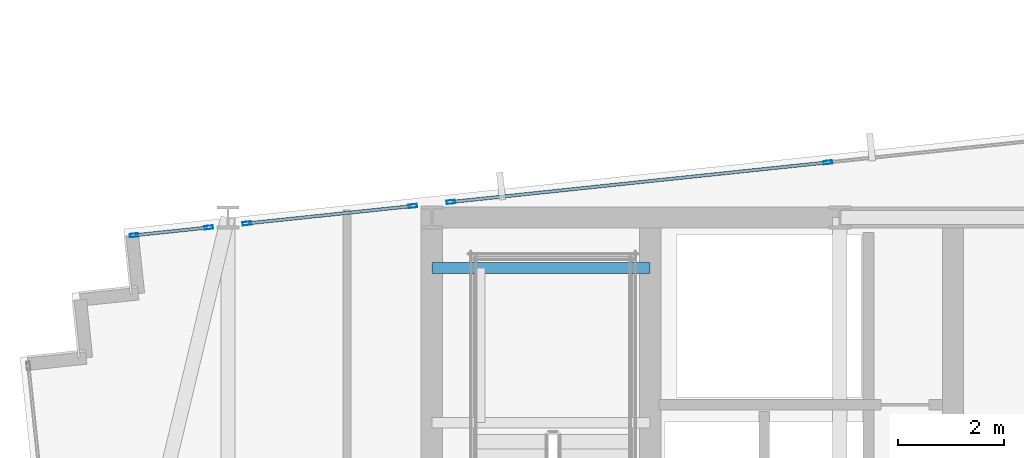
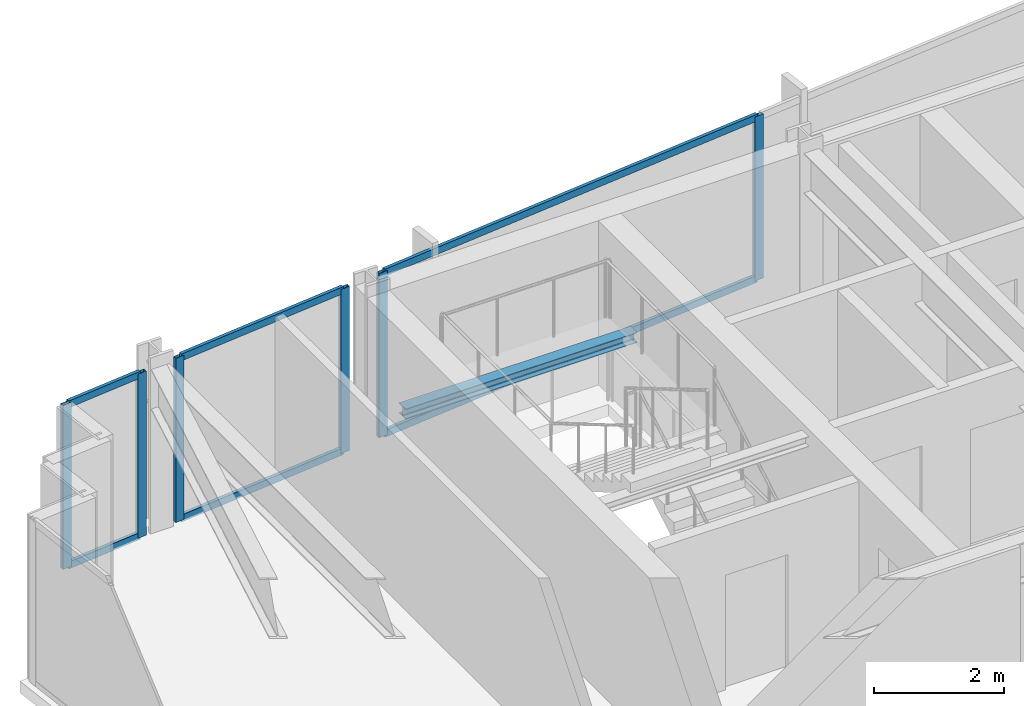
# One storey, part 20 of 33: 12 members, 1 beam, 3 elements without a shape of their own.
"""IFC4 building model written with IfcOpenShell, lengths in metres."""

from ifc_helpers import new_model, si_unit, direction, frame, origin, origin_2d, place, context, subcontext, project, spatial, hollow_rectangle, i_section, extrude, material, material_profile, profile_set, type_object, element, aggregate, save


model = new_model("IFC4")

# Units and contexts
model_context = context("Model", 3, precision=1e-05, world=origin(), true_north=direction((0.0, 1.0)))
body_context = subcontext(model_context, "Body", "Model", "MODEL_VIEW")
ifc_project = project(units=[si_unit("LENGTHUNIT", "METRE"), si_unit("AREAUNIT", "SQUARE_METRE"), si_unit("VOLUMEUNIT", "CUBIC_METRE"), si_unit("PLANEANGLEUNIT", "RADIAN"), si_unit("MASSUNIT", "GRAM", prefix="KILO")], contexts=[model_context])

# Site, building, storey
site_placement = place(None, origin())
site = spatial("IfcSite", under=ifc_project, at=site_placement, CompositionType="ELEMENT")
building_placement = place(site_placement, origin())
building = spatial("IfcBuilding", under=site, at=building_placement, Name="Yelkora Congress Tower", CompositionType="ELEMENT")
storey_placement = place(building_placement, frame((0.0, 0.0, 224.300048828125)))
storey = spatial("IfcBuildingStorey", under=building, at=storey_placement, Name="L62", CompositionType="ELEMENT", Elevation=224.300048828125)

# Beam
ifc_material_1 = material(Name="Steel S355J2", Category="steel")
ifc_material_profile_1 = material_profile(ifc_material_1, i_section(OverallWidth=0.199951171875, OverallDepth=0.18994140625, WebThickness=0.006591796875, FlangeThickness=0.010009765625, FilletRadius=0.01806640625, at=origin_2d()), Name="HEA 200")
ifc_profile_set_1 = profile_set([ifc_material_profile_1], Name="Steel S355J2")
beam_type = type_object("IfcBeamType", Name="BM-LAND-HEA200", PredefinedType="BEAM", material=ifc_profile_set_1)
beam_placement = place(storey_placement, frame((23.0400390625, 45.25, 1.33447265625), z_axis=(1.0, 0.0, 0.0), x_axis=(0.0, 1.0, 0.0)))
element("IfcBeam", 1, at=beam_placement, inside=storey, type_object=beam_type, Name="ST-01 L62 Landing Header Beam 1N", PredefinedType="BEAM", context=body_context, shape_type="SweptSolid", body=[
    extrude(i_section(OverallWidth=0.199951171875, OverallDepth=0.18994140625, WebThickness=0.006591796875, FlangeThickness=0.010009765625, FilletRadius=0.01806640625, at=origin_2d()), origin(), (0.0, 0.0, 1.0), 4.10986328125),
])

# Curtain wall, members
ifc_material_2 = material(Name="Anodised aluminium and insulated glass", Category="aluminium")
curtain_wall_type = type_object("IfcCurtainWallType", Name="CW-SYS-B4", PredefinedType="NOTDEFINED", material=ifc_material_2)
curtain_wall_1_placement = place(storey_placement, origin())
curtain_wall_1 = element("IfcCurtainWall", 2, at=curtain_wall_1_placement, inside=storey, type_object=curtain_wall_type, Name="L62 Unitised Curtain Wall 10 (1)", PredefinedType="NOTDEFINED")
ifc_material_3 = material(Name="Anodised aluminium 6063-T6", Category="aluminium")
ifc_material_profile_2 = material_profile(ifc_material_3, hollow_rectangle(XDim=0.06494140625, YDim=0.159912109375, WallThickness=0.00390625, at=origin_2d()), Name="ALU 65x160x4")
ifc_profile_set_2 = profile_set([ifc_material_profile_2], Name="Anodised aluminium 6063-T6")
member_type_1 = type_object("IfcMemberType", Name="MEM-ML-B4", PredefinedType="MULLION", material=ifc_profile_set_2)
member_1_placement = place(storey_placement, frame((17.431396484375, 45.865966796875, 0.0), z_axis=(0.0, 0.0, 1.0), x_axis=(-0.104509292244, 0.994523910137, 0.0)))
member_1 = element("IfcMember", 3, at=member_1_placement, type_object=member_type_1, Name="CW-B4 mullion 1", PredefinedType="MULLION", context=body_context, shape_type="SweptSolid", body=[
    extrude(hollow_rectangle(XDim=0.06494140625, YDim=0.159912109375, WallThickness=0.00390625, at=origin_2d()), origin(), (0.0, 0.0, 1.0), 3.079833984375),
])
member_2_placement = place(storey_placement, frame((18.841796875, 46.01416015625, 0.0), z_axis=(0.0, 0.0, 1.0), x_axis=(-0.104509292244, 0.994523910137, 0.0)))
member_2 = element("IfcMember", 4, at=member_2_placement, type_object=member_type_1, Name="CW-B4 mullion 2", PredefinedType="MULLION", context=body_context, shape_type="SweptSolid", body=[
    extrude(hollow_rectangle(XDim=0.06494140625, YDim=0.159912109375, WallThickness=0.00390625, at=origin_2d()), origin(), (0.0, 0.0, 1.0), 3.079833984375),
])

curtain_wall_2_placement = place(storey_placement, origin())
curtain_wall_2 = element("IfcCurtainWall", 5, at=curtain_wall_2_placement, inside=storey, type_object=curtain_wall_type, Name="L62 Unitised Curtain Wall 10 (2)", PredefinedType="NOTDEFINED")
member_3_placement = place(storey_placement, frame((19.558349609375, 46.089599609375, 0.0), z_axis=(0.0, 0.0, 1.0), x_axis=(-0.104506154437, 0.994524239868, 0.0)))
member_3 = element("IfcMember", 6, at=member_3_placement, type_object=member_type_1, Name="CW-B4 mullion 1", PredefinedType="MULLION", context=body_context, shape_type="SweptSolid", body=[
    extrude(hollow_rectangle(XDim=0.06494140625, YDim=0.159912109375, WallThickness=0.00390625, at=origin_2d()), origin(), (0.0, 0.0, 1.0), 3.079833984375),
])
member_4_placement = place(storey_placement, frame((22.681640625, 46.417724609375, 0.0), z_axis=(0.0, 0.0, 1.0), x_axis=(-0.104506154437, 0.994524239868, 0.0)))
member_4 = element("IfcMember", 7, at=member_4_placement, type_object=member_type_1, Name="CW-B4 mullion 2", PredefinedType="MULLION", context=body_context, shape_type="SweptSolid", body=[
    extrude(hollow_rectangle(XDim=0.06494140625, YDim=0.159912109375, WallThickness=0.00390625, at=origin_2d()), origin(), (0.0, 0.0, 1.0), 3.079833984375),
])

curtain_wall_3_placement = place(storey_placement, origin())
curtain_wall_3 = element("IfcCurtainWall", 8, at=curtain_wall_3_placement, inside=storey, type_object=curtain_wall_type, Name="L62 Unitised Curtain Wall 10 (3)", PredefinedType="NOTDEFINED")
member_5_placement = place(storey_placement, frame((23.3984375, 46.4931640625, 0.0), z_axis=(0.0, 0.0, 1.0), x_axis=(-0.104527724021, 0.994521973066, 0.0)))
member_5 = element("IfcMember", 9, at=member_5_placement, type_object=member_type_1, Name="CW-B4 mullion 1", PredefinedType="MULLION", context=body_context, shape_type="SweptSolid", body=[
    extrude(hollow_rectangle(XDim=0.06494140625, YDim=0.159912109375, WallThickness=0.00390625, at=origin_2d()), origin(), (0.0, 0.0, 1.0), 3.079833984375),
])
member_6_placement = place(storey_placement, frame((30.496826171875, 47.2392578125, 0.0), z_axis=(0.0, 0.0, 1.0), x_axis=(-0.104527724021, 0.994521973066, 0.0)))
member_6 = element("IfcMember", 10, at=member_6_placement, type_object=member_type_1, Name="CW-B4 mullion 2", PredefinedType="MULLION", context=body_context, shape_type="SweptSolid", body=[
    extrude(hollow_rectangle(XDim=0.06494140625, YDim=0.159912109375, WallThickness=0.00390625, at=origin_2d()), origin(), (0.0, 0.0, 1.0), 3.079833984375),
])

# Member
ifc_material_profile_3 = material_profile(ifc_material_3, hollow_rectangle(XDim=0.06005859375, YDim=0.1298828125, WallThickness=0.00390625, at=origin_2d()), Name="ALU 60x130x4")
ifc_profile_set_3 = profile_set([ifc_material_profile_3], Name="Anodised aluminium 6063-T6")
member_type_2 = type_object("IfcMemberType", Name="MEM-TR-B4", PredefinedType="USERDEFINED", material=ifc_profile_set_3)
member_7_placement = place(storey_placement, frame((17.463623046875, 45.869384765625, 0.030029296875), z_axis=(0.994528168538, 0.10446876081, 0.0), x_axis=(-0.10446876081, 0.994528168538, 0.0)))
member_7 = element("IfcMember", 11, at=member_7_placement, type_object=member_type_2, Name="CW-B4 transom 1.1", ObjectType="TRANSOM", PredefinedType="USERDEFINED", context=body_context, shape_type="SweptSolid", body=[
    extrude(hollow_rectangle(XDim=0.06005859375, YDim=0.1298828125, WallThickness=0.00390625, at=origin_2d()), origin(), (0.0, 0.0, 1.0), 1.35302734375),
])

member_8_placement = place(storey_placement, frame((17.463623046875, 45.869384765625, 3.050048828125), z_axis=(0.994528168538, 0.10446876081, 0.0), x_axis=(-0.10446876081, 0.994528168538, 0.0)))
member_8 = element("IfcMember", 12, at=member_8_placement, type_object=member_type_2, Name="CW-B4 transom 1.2", ObjectType="TRANSOM", PredefinedType="USERDEFINED", context=body_context, shape_type="SweptSolid", body=[
    extrude(hollow_rectangle(XDim=0.06005859375, YDim=0.1298828125, WallThickness=0.00390625, at=origin_2d()), origin(), (0.0, 0.0, 1.0), 1.35302734375),
])

aggregate(curtain_wall_1, [member_1, member_2, member_7, member_8])

member_9_placement = place(storey_placement, frame((19.590576171875, 46.093017578125, 0.030029296875), z_axis=(0.994528915126, 0.104461653149, 0.0), x_axis=(-0.104461653149, 0.994528915126, 0.0)))
member_9 = element("IfcMember", 13, at=member_9_placement, type_object=member_type_2, Name="CW-B4 transom 1.1", ObjectType="TRANSOM", PredefinedType="USERDEFINED", context=body_context, shape_type="SweptSolid", body=[
    extrude(hollow_rectangle(XDim=0.06005859375, YDim=0.1298828125, WallThickness=0.00390625, at=origin_2d()), origin(), (0.0, 0.0, 1.0), 3.07568359375),
])

member_10_placement = place(storey_placement, frame((19.590576171875, 46.093017578125, 3.050048828125), z_axis=(0.994528915126, 0.104461653149, 0.0), x_axis=(-0.104461653149, 0.994528915126, 0.0)))
member_10 = element("IfcMember", 14, at=member_10_placement, type_object=member_type_2, Name="CW-B4 transom 1.2", ObjectType="TRANSOM", PredefinedType="USERDEFINED", context=body_context, shape_type="SweptSolid", body=[
    extrude(hollow_rectangle(XDim=0.06005859375, YDim=0.1298828125, WallThickness=0.00390625, at=origin_2d()), origin(), (0.0, 0.0, 1.0), 3.07568359375),
])

aggregate(curtain_wall_2, [member_3, member_4, member_9, member_10])

member_11_placement = place(storey_placement, frame((23.4306640625, 46.49658203125, 0.030029296875), z_axis=(0.994522085625, 0.104526653081, 0.0), x_axis=(-0.104526653081, 0.994522085625, 0.0)))
member_11 = element("IfcMember", 15, at=member_11_placement, type_object=member_type_2, Name="CW-B4 transom 1.1", ObjectType="TRANSOM", PredefinedType="USERDEFINED", context=body_context, shape_type="SweptSolid", body=[
    extrude(hollow_rectangle(XDim=0.06005859375, YDim=0.1298828125, WallThickness=0.00390625, at=origin_2d()), origin(), (0.0, 0.0, 1.0), 7.072509765625),
])

member_12_placement = place(storey_placement, frame((23.4306640625, 46.49658203125, 3.050048828125), z_axis=(0.994522085625, 0.104526653081, 0.0), x_axis=(-0.104526653081, 0.994522085625, 0.0)))
member_12 = element("IfcMember", 16, at=member_12_placement, type_object=member_type_2, Name="CW-B4 transom 1.2", ObjectType="TRANSOM", PredefinedType="USERDEFINED", context=body_context, shape_type="SweptSolid", body=[
    extrude(hollow_rectangle(XDim=0.06005859375, YDim=0.1298828125, WallThickness=0.00390625, at=origin_2d()), origin(), (0.0, 0.0, 1.0), 7.072509765625),
])

aggregate(curtain_wall_3, [member_5, member_6, member_11, member_12])

save(model, "model.ifc")
